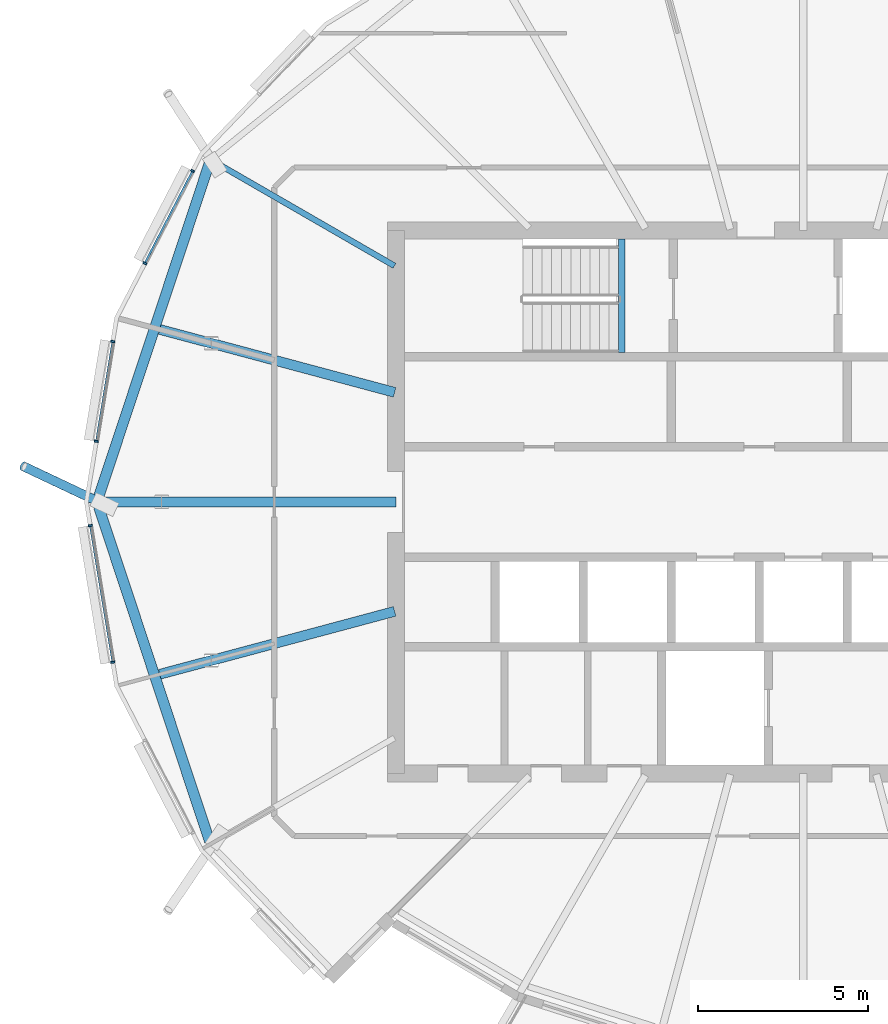
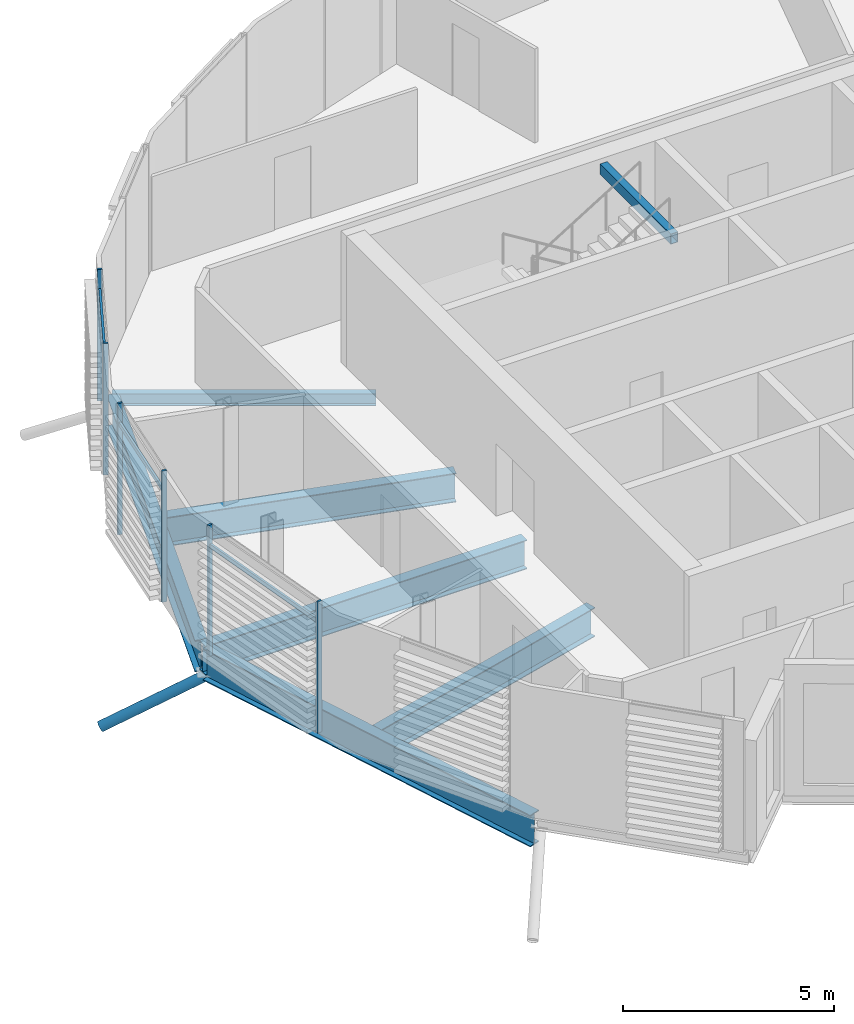
# One storey, part 5 of 41: 10 members, 7 beams, 1 element without a shape of its own.
"""IFC4 building model written with IfcOpenShell, lengths in metres."""

import ifcopenshell
import ifcopenshell.guid

model = None  # the IFC model being written
_history = None  # IfcOwnerHistory: only IFC2X3 demands one
_inside = {}  # id of a spatial element -> (the spatial element, [elements in it])
_under = {}  # id of a project, library or spatial element -> (it, [spatial elements below it])
_declared = {}  # id of a project -> (the project, [libraries it declares])
_typed = {}  # id of a type object -> (the type object, [elements of that type])
_made_of = {}  # id of a material, layer set ... -> (it, [elements and type objects made of it])


def new_model(schema):
    """Start an empty IFC model of exactly this schema.

    Asked for "IFC4X3", IfcOpenShell would pick the latest addendum, in which some entities
    have other attributes; the version numbers below select the first issue.
    IFC2X3 requires an IfcOwnerHistory on every rooted entity: one is made here for all.
    """
    global model, _history
    if schema == "IFC4X3":
        model = ifcopenshell.file(schema_version=(4, 3, 0, 0))
    else:
        model = ifcopenshell.file(schema=schema)
    _inside.clear()
    _under.clear()
    _declared.clear()
    _typed.clear()
    _made_of.clear()
    _history = None
    if model.schema == "IFC2X3":
        org = make("IfcOrganization", Name="unknown")
        user = make(
            "IfcPersonAndOrganization",
            ThePerson=make("IfcPerson", FamilyName="unknown"),
            TheOrganization=org,
        )
        app = make(
            "IfcApplication",
            ApplicationDeveloper=org,
            Version="unknown",
            ApplicationFullName="unknown",
            ApplicationIdentifier="unknown",
        )
        _history = make(
            "IfcOwnerHistory",
            OwningUser=user,
            OwningApplication=app,
            ChangeAction="ADDED",
            CreationDate=0,
        )
    return model


def make(cls, **values):
    """One entity of the class cls with the attributes given. An attribute that is None is left unset."""
    return model.create_entity(
        cls, **{name: value for name, value in values.items() if value is not None}
    )


def rooted(cls, **values):
    """An entity with a GlobalId (a new one), such as an element, a storey or a relation."""
    return make(cls, GlobalId=ifcopenshell.guid.new(), OwnerHistory=_history, **values)


def si_unit(unit_type, name, prefix=None):
    """IfcSIUnit, for example si_unit("LENGTHUNIT", "METRE", prefix="MILLI")."""
    return make("IfcSIUnit", UnitType=unit_type, Prefix=prefix, Name=name)


def assignment(units):
    """IfcUnitAssignment: the units of a project."""
    return None if units is None else make("IfcUnitAssignment", Units=units)


def point(xyz):
    """IfcCartesianPoint."""
    return None if xyz is None else make("IfcCartesianPoint", Coordinates=xyz)


def direction(xyz):
    """IfcDirection."""
    return None if xyz is None else make("IfcDirection", DirectionRatios=xyz)


def frame(location, z_axis=None, x_axis=None):
    """IfcAxis2Placement3D, a coordinate frame: its origin and axes. An axis left out is left unset."""
    return make(
        "IfcAxis2Placement3D",
        Location=point(location),
        Axis=direction(z_axis),
        RefDirection=direction(x_axis),
    )


def frame_2d(location, x_axis=None):
    """IfcAxis2Placement2D, a coordinate frame in the plane: its origin and x axis."""
    return make(
        "IfcAxis2Placement2D", Location=point(location), RefDirection=direction(x_axis)
    )


def origin():
    """The frame at (0, 0, 0) with its axes left unset."""
    return frame((0.0, 0.0, 0.0))


def origin_2d():
    """The frame at (0, 0) in the plane with its x axis left unset."""
    return frame_2d((0.0, 0.0))


def place(relative_to, where):
    """IfcLocalPlacement: puts the frame where relative to a parent placement (None: the world)."""
    return make(
        "IfcLocalPlacement", PlacementRelTo=relative_to, RelativePlacement=where
    )


def context(
    kind, dimensions, precision=None, world=None, true_north=None, identifier=None
):
    """IfcGeometricRepresentationContext, for example the 3D "Model" context."""
    return make(
        "IfcGeometricRepresentationContext",
        ContextIdentifier=identifier,
        ContextType=kind,
        CoordinateSpaceDimension=dimensions,
        Precision=precision,
        WorldCoordinateSystem=world,
        TrueNorth=true_north,
    )


def subcontext(parent, identifier, kind, view, scale=None):
    """IfcGeometricRepresentationSubContext, for example "Body" below "Model"."""
    return make(
        "IfcGeometricRepresentationSubContext",
        ContextIdentifier=identifier,
        ContextType=kind,
        ParentContext=parent,
        TargetScale=scale,
        TargetView=view,
    )


def project(units=None, contexts=None):
    """IfcProject with its units and contexts."""
    return rooted(
        "IfcProject",
        Name="project",
        RepresentationContexts=contexts,
        UnitsInContext=assignment(units),
    )


def spatial(cls, under=None, at=None, **own):
    """A site, building, storey or space (cls), placed at a placement, below another one or the project."""
    s = rooted(cls, ObjectPlacement=at, **own)
    if under is not None:
        _under.setdefault(under.id(), (under, []))[1].append(s)
    return s


def profile(cls, at=None, kind="AREA", **sizes):
    """A parametric profile (cls). Its sizes go by their IFC names, for example OverallWidth=200.0."""
    return make(cls, ProfileType=kind, Position=at, **sizes)


def rectangle(**sizes):
    """IfcRectangleProfileDef."""
    return profile("IfcRectangleProfileDef", **sizes)


def hollow_rectangle(**sizes):
    """IfcRectangleHollowProfileDef."""
    return profile("IfcRectangleHollowProfileDef", **sizes)


def hollow_circle(**sizes):
    """IfcCircleHollowProfileDef."""
    return profile("IfcCircleHollowProfileDef", **sizes)


def i_section(**sizes):
    """IfcIShapeProfileDef."""
    return profile("IfcIShapeProfileDef", **sizes)


def extrude(swept, where, along, depth):
    """IfcExtrudedAreaSolid: the profile swept, set in the frame where, extruded along a direction by depth."""
    return make(
        "IfcExtrudedAreaSolid",
        SweptArea=swept,
        Position=where,
        ExtrudedDirection=direction(along),
        Depth=depth,
    )


def clip(a, b, op="DIFFERENCE"):
    """IfcBooleanClippingResult: the solid a cut by the half space b."""
    return make(
        "IfcBooleanClippingResult", Operator=op, FirstOperand=a, SecondOperand=b
    )


def halfspace(plane, agree):
    """IfcHalfSpaceSolid: all space on one side of the plane z = 0 of the frame plane."""
    return make(
        "IfcHalfSpaceSolid",
        BaseSurface=make("IfcPlane", Position=plane),
        AgreementFlag=agree,
    )


def shape(context_of_items, identifier, shape_type, items):
    """IfcShapeRepresentation: the items that make up one representation, for example the "Body"."""
    return make(
        "IfcShapeRepresentation",
        ContextOfItems=context_of_items,
        RepresentationIdentifier=identifier,
        RepresentationType=shape_type,
        Items=items,
    )


def material(Name=None, Category=None):
    """IfcMaterial."""
    return make("IfcMaterial", Name=Name, Category=Category)


def material_profile(
    of_material, cross_section, Name=None, Category=None, Priority=None
):
    """IfcMaterialProfile: a cross section and its material."""
    return make(
        "IfcMaterialProfile",
        Name=Name,
        Material=of_material,
        Profile=cross_section,
        Priority=Priority,
        Category=Category,
    )


def profile_set(profiles, Name=None, composite=None):
    """IfcMaterialProfileSet."""
    return make(
        "IfcMaterialProfileSet",
        Name=Name,
        MaterialProfiles=profiles,
        CompositeProfile=composite,
    )


def made_of(thing, what):
    """Note that an element or type object is made of a material, layer set ...; save() writes the relation."""
    if what is not None:
        _made_of.setdefault(what.id(), (what, []))[1].append(thing)
    return thing


def type_object(cls, material=None, **own):
    """A type object (cls), such as IfcWallType, which elements share."""
    return made_of(rooted(cls, **own), material)


def element(
    cls,
    number,
    at=None,
    inside=None,
    cuts=None,
    type_object=None,
    material=None,
    context=None,
    identifier="Body",
    shape_type=None,
    held_by="IfcProductDefinitionShape",
    body=None,
    shapes=None,
    **own,
):
    """One element of the class cls, such as IfcWall. Its Tag is "e" and its number.

    at: its placement. inside: the storey or other place that contains it. cuts: it is an
    opening in that element (IfcRelVoidsElement). A single representation is given by context,
    identifier, shape_type and body (its items); several are given by shapes. held_by: the class
    of the entity that holds the representations. save() writes the other relations.
    """
    e = rooted(cls, Tag="e%d" % number, ObjectPlacement=at, **own)
    if body is not None:
        shapes = [shape(context, identifier, shape_type, body)]
    if shapes is not None:
        e.Representation = make(held_by, Representations=shapes)
    if inside is not None:
        _inside.setdefault(inside.id(), (inside, []))[1].append(e)
    if cuts is not None:
        rooted(
            "IfcRelVoidsElement", RelatingBuildingElement=cuts, RelatedOpeningElement=e
        )
    if type_object is not None:
        _typed.setdefault(type_object.id(), (type_object, []))[1].append(e)
    return made_of(e, material)


def aggregate(whole, parts):
    """IfcRelAggregates: a whole, such as a stair, and the parts it consists of."""
    return rooted("IfcRelAggregates", RelatingObject=whole, RelatedObjects=parts)


def save(model, path):
    """Write the relations noted so far, then the file.

    IfcRelAggregates (storeys below a building ...), IfcRelContainedInSpatialStructure (elements
    in a storey), IfcRelDefinesByType, IfcRelAssociatesMaterial and IfcRelDeclares: one each for
    every whole, place, type object, material and project.
    """
    for whole, parts in _under.values():
        aggregate(whole, parts)
    for where, things in _inside.values():
        rooted(
            "IfcRelContainedInSpatialStructure",
            RelatedElements=things,
            RelatingStructure=where,
        )
    for kind, things in _typed.values():
        rooted("IfcRelDefinesByType", RelatedObjects=things, RelatingType=kind)
    for what, things in _made_of.values():
        rooted("IfcRelAssociatesMaterial", RelatedObjects=things, RelatingMaterial=what)
    for by, libraries in _declared.values():
        rooted("IfcRelDeclares", RelatingContext=by, RelatedDefinitions=libraries)
    model.write(path)


model = new_model("IFC4")

# Units and contexts
model_context = context("Model", 3, precision=1e-05, world=origin(), true_north=direction((0.0, 1.0)))
body_context = subcontext(model_context, "Body", "Model", "MODEL_VIEW")
ifc_project = project(units=[si_unit("LENGTHUNIT", "METRE"), si_unit("AREAUNIT", "SQUARE_METRE"), si_unit("VOLUMEUNIT", "CUBIC_METRE"), si_unit("PLANEANGLEUNIT", "RADIAN"), si_unit("MASSUNIT", "GRAM", prefix="KILO")], contexts=[model_context])

# Site, building, storey
site_placement = place(None, origin())
site = spatial("IfcSite", under=ifc_project, at=site_placement, CompositionType="ELEMENT")
building_placement = place(site_placement, origin())
building = spatial("IfcBuilding", under=site, at=building_placement, Name="Rimbun Link Towers", CompositionType="ELEMENT")
storey_placement = place(building_placement, frame((0.0, 0.0, 210.5)))
storey = spatial("IfcBuildingStorey", under=building, at=storey_placement, Name="L51", CompositionType="ELEMENT", Elevation=210.5)

# Curtain wall, members
ifc_material_1 = material(Name="Aluminium 6063-T6 and low-iron glass", Category="aluminium")
curtain_wall_type = type_object("IfcCurtainWallType", Name="CW1-Z4 unitised vision wall (zone 4)", PredefinedType="NOTDEFINED", material=ifc_material_1)
curtain_wall_placement = place(storey_placement, origin())
curtain_wall = element("IfcCurtainWall", 1, at=curtain_wall_placement, inside=storey, type_object=curtain_wall_type, Name="CW1 L51 T1", PredefinedType="NOTDEFINED")
ifc_material_2 = material(Name="Aluminium 6063-T6", Category="aluminium")
ifc_material_profile_1 = material_profile(ifc_material_2, rectangle(XDim=0.1201171875, YDim=0.06005859375, at=origin_2d()), Name="MULLION 60X120")
ifc_profile_set_1 = profile_set([ifc_material_profile_1], Name="Aluminium 6063-T6")
member_type_1 = type_object("IfcMemberType", Name="CW1 mullion 60X120", PredefinedType="MULLION", material=ifc_profile_set_1)
member_1_placement = place(storey_placement, frame((-51.1474609375, 7.03125, 0.0), z_axis=(0.0, 0.0, 1.0), x_axis=(-0.888150016656, 0.459553639865, 0.0)))
member_1 = element("IfcMember", 2, at=member_1_placement, type_object=member_type_1, Name="CW1 mullion", PredefinedType="MULLION", context=body_context, shape_type="SweptSolid", body=[
    extrude(rectangle(XDim=0.1201171875, YDim=0.06005859375, at=origin_2d()), origin(), (0.0, 0.0, 1.0), 3.800048828125),
])
member_2_placement = place(storey_placement, frame((-49.740966796875, 9.74951171875, 0.0), z_axis=(0.0, 0.0, 1.0), x_axis=(-0.888150016656, 0.459553639865, 0.0)))
member_2 = element("IfcMember", 3, at=member_2_placement, type_object=member_type_1, Name="CW1 mullion", PredefinedType="MULLION", context=body_context, shape_type="SweptSolid", body=[
    extrude(rectangle(XDim=0.1201171875, YDim=0.06005859375, at=origin_2d()), origin(), (0.0, 0.0, 1.0), 3.800048828125),
])
member_3_placement = place(storey_placement, frame((-52.577392578125, 1.785888671875, 0.0), z_axis=(0.0, 0.0, 1.0), x_axis=(-0.986747369979, 0.162264068235, 0.0)))
member_3 = element("IfcMember", 4, at=member_3_placement, type_object=member_type_1, Name="CW1 mullion", PredefinedType="MULLION", context=body_context, shape_type="SweptSolid", body=[
    extrude(rectangle(XDim=0.1201171875, YDim=0.06005859375, at=origin_2d()), origin(), (0.0, 0.0, 1.0), 3.800048828125),
])
member_4_placement = place(storey_placement, frame((-52.09423828125, 4.723876953125, 0.0), z_axis=(0.0, 0.0, 1.0), x_axis=(-0.986747369979, 0.162264068235, 0.0)))
member_4 = element("IfcMember", 5, at=member_4_placement, type_object=member_type_1, Name="CW1 mullion", PredefinedType="MULLION", context=body_context, shape_type="SweptSolid", body=[
    extrude(rectangle(XDim=0.1201171875, YDim=0.06005859375, at=origin_2d()), origin(), (0.0, 0.0, 1.0), 3.800048828125),
])
member_5_placement = place(storey_placement, frame((-52.09423828125, -4.723876953125, 0.0), z_axis=(0.0, 0.0, 1.0), x_axis=(-0.986747369979, -0.162264068235, 0.0)))
member_5 = element("IfcMember", 6, at=member_5_placement, type_object=member_type_1, Name="CW1 mullion", PredefinedType="MULLION", context=body_context, shape_type="SweptSolid", body=[
    extrude(rectangle(XDim=0.1201171875, YDim=0.06005859375, at=origin_2d()), origin(), (0.0, 0.0, 1.0), 3.800048828125),
])
member_6_placement = place(storey_placement, frame((-52.755859375, -0.700439453125, 0.0), z_axis=(0.0, 0.0, 1.0), x_axis=(-0.986747369979, -0.162264068235, 0.0)))
member_6 = element("IfcMember", 7, at=member_6_placement, type_object=member_type_1, Name="CW1 mullion", PredefinedType="MULLION", context=body_context, shape_type="SweptSolid", body=[
    extrude(rectangle(XDim=0.1201171875, YDim=0.06005859375, at=origin_2d()), origin(), (0.0, 0.0, 1.0), 3.800048828125),
])
ifc_material_3 = material(Name="Aluminium 6063-T6", Category="aluminium")
ifc_material_profile_2 = material_profile(ifc_material_3, rectangle(XDim=0.06005859375, YDim=0.1201171875, at=origin_2d()), Name="TRANSOM 60X120")
ifc_profile_set_2 = profile_set([ifc_material_profile_2], Name="Aluminium 6063-T6")
member_type_2 = type_object("IfcMemberType", Name="CW1 transom 60X120", PredefinedType="USERDEFINED", material=ifc_profile_set_2)
member_7_placement = place(storey_placement, frame((-51.1318359375, 7.056884765625, 3.199951171875), z_axis=(0.459538013842, 0.888158101823, 0.0), x_axis=(-0.888158101823, 0.459538013842, 0.0)))
member_7 = element("IfcMember", 8, at=member_7_placement, type_object=member_type_2, Name="CW1 transom", ObjectType="TRANSOM", PredefinedType="USERDEFINED", context=body_context, shape_type="SweptSolid", body=[
    extrude(rectangle(XDim=0.06005859375, YDim=0.1201171875, at=origin_2d()), origin(), (0.0, 0.0, 1.0), 3.000732421875),
])
member_8_placement = place(storey_placement, frame((-52.570556640625, 1.815185546875, 3.199951171875), z_axis=(0.162254593898, 0.986748927924, 0.0), x_axis=(-0.986748927924, 0.162254593898, 0.0)))
member_8 = element("IfcMember", 9, at=member_8_placement, type_object=member_type_2, Name="CW1 transom", ObjectType="TRANSOM", PredefinedType="USERDEFINED", context=body_context, shape_type="SweptSolid", body=[
    extrude(rectangle(XDim=0.06005859375, YDim=0.1201171875, at=origin_2d()), origin(), (0.0, 0.0, 1.0), 2.91748046875),
])
member_9_placement = place(storey_placement, frame((-52.09716796875, -4.694091796875, 3.199951171875), z_axis=(-0.162250369036, 0.986749622624, 0.0), x_axis=(-0.986749622624, -0.162250369036, 0.0)))
member_9 = element("IfcMember", 10, at=member_9_placement, type_object=member_type_2, Name="CW1 transom", ObjectType="TRANSOM", PredefinedType="USERDEFINED", context=body_context, shape_type="SweptSolid", body=[
    extrude(rectangle(XDim=0.06005859375, YDim=0.1201171875, at=origin_2d()), origin(), (0.0, 0.0, 1.0), 4.017578125),
])
aggregate(curtain_wall, [member_1, member_2, member_3, member_4, member_5, member_6, member_7, member_8, member_9])

# Member
ifc_material_4 = material(Name="Steel S355J2H", Category="steel")
ifc_material_profile_3 = material_profile(ifc_material_4, hollow_circle(Radius=0.136474609375, WallThickness=0.012451171875, at=origin_2d()), Name="CHS 273x12.5")
ifc_profile_set_3 = profile_set([ifc_material_profile_3], Name="Steel S355J2H")
member_type_3 = type_object("IfcMemberType", Name="Floor edge link CHS 273x12.5", PredefinedType="BRACE", material=ifc_profile_set_3)
member_10_placement = place(storey_placement, frame((-52.5068359375, 0.0, -1.100830078125), z_axis=(-0.797684083969, 0.376727682966, -0.470931369809), x_axis=(-0.427046654112, -0.90422959209, 0.0)))
element("IfcMember", 11, at=member_10_placement, inside=storey, type_object=member_type_3, Name="Floor edge link T1 L51 12", PredefinedType="BRACE", context=body_context, shape_type="Clipping", body=[
    clip(extrude(hollow_circle(Radius=0.136474609375, WallThickness=0.012451171875, at=origin_2d()), frame((0.0, 0.0, -0.53271484375)), (0.0, 0.0, 1.0), 3.336669921875), halfspace(frame((0.0, 0.0, -0.250732421875), z_axis=(0.0, 0.882169850386, -0.470931369809)), False)),
])

# Beams
ifc_material_5 = material(Name="Steel S355J2", Category="steel")
ifc_material_profile_4 = material_profile(ifc_material_5, hollow_rectangle(XDim=0.199951171875, YDim=0.300048828125, WallThickness=0.011962890625, at=origin_2d()), Name="BOX 300x200x12")
ifc_profile_set_4 = profile_set([ifc_material_profile_4], Name="Steel S355J2")
beam_type_1 = type_object("IfcBeamType", Name="Stair trimmer beam BOX 300x200x12", PredefinedType="BEAM", material=ifc_profile_set_4)
beam_1_placement = place(storey_placement, frame((-37.10009765625, 7.75, 3.510009765625), z_axis=(0.0, -1.0, 0.0), x_axis=(1.0, 0.0, 0.0)))
element("IfcBeam", 12, at=beam_1_placement, inside=storey, type_object=beam_type_1, Name="L51 ST1 stair beam 1", PredefinedType="BEAM", context=body_context, shape_type="SweptSolid", body=[
    extrude(hollow_rectangle(XDim=0.199951171875, YDim=0.300048828125, WallThickness=0.011962890625, at=origin_2d()), origin(), (0.0, 0.0, 1.0), 3.35009765625),
])
ifc_material_6 = material(Name="Steel S355J2", Category="steel")
ifc_material_profile_5 = material_profile(ifc_material_6, i_section(OverallWidth=0.17138671875, OverallDepth=0.35498046875, WebThickness=0.00732421875, FlangeThickness=0.011474609375, at=origin_2d()), Name="UB 356x171x51")
ifc_profile_set_5 = profile_set([ifc_material_profile_5], Name="Steel S355J2")
beam_type_2 = type_object("IfcBeamType", Name="UB 356x171x51", PredefinedType="BEAM", material=ifc_profile_set_5)
beam_2_placement = place(storey_placement, frame((-43.793701171875, 6.95361328125, -0.3173828125), z_axis=(-0.866027676865, 0.499996062888, 0.0), x_axis=(-0.499996062888, -0.866027676865, 0.0)))
element("IfcBeam", 13, at=beam_2_placement, inside=storey, type_object=beam_type_2, Name="Radial beam T1 L51 10", PredefinedType="BEAM", context=body_context, shape_type="SweptSolid", body=[
    extrude(i_section(OverallWidth=0.17138671875, OverallDepth=0.35498046875, WebThickness=0.00732421875, FlangeThickness=0.011474609375, at=origin_2d()), origin(), (0.0, 0.0, 1.0), 6.25634765625),
])
ifc_material_7 = material(Name="Steel S355J2", Category="steel")
ifc_material_profile_6 = material_profile(ifc_material_7, i_section(OverallWidth=0.29248046875, OverallDepth=0.8408203125, WebThickness=0.0126953125, FlangeThickness=0.021728515625, at=origin_2d()), Name="UB 838x292x194")
ifc_profile_set_6 = profile_set([ifc_material_profile_6], Name="Steel S355J2")
beam_type_3 = type_object("IfcBeamType", Name="UB 838x292x194", PredefinedType="BEAM", material=ifc_profile_set_6)
beam_3_placement = place(storey_placement, frame((-43.788818359375, 3.225830078125, -0.560302734375), z_axis=(-0.965930560522, 0.25880137606, 0.0), x_axis=(-0.25880137606, -0.965930560522, 0.0)))
element("IfcBeam", 14, at=beam_3_placement, inside=storey, type_object=beam_type_3, Name="Radial beam T1 L51 11", PredefinedType="BEAM", context=body_context, shape_type="SweptSolid", body=[
    extrude(i_section(OverallWidth=0.29248046875, OverallDepth=0.8408203125, WebThickness=0.0126953125, FlangeThickness=0.021728515625, at=origin_2d()), origin(), (0.0, 0.0, 1.0), 7.164794921875),
])
beam_4_placement = place(storey_placement, frame((-43.7509765625, 0.0, -0.560302734375), z_axis=(-1.0, 0.0, 0.0), x_axis=(0.0, -1.0, 0.0)))
element("IfcBeam", 15, at=beam_4_placement, inside=storey, type_object=beam_type_3, Name="Radial beam T1 L51 12", PredefinedType="BEAM", context=body_context, shape_type="SweptSolid", body=[
    extrude(i_section(OverallWidth=0.29248046875, OverallDepth=0.8408203125, WebThickness=0.0126953125, FlangeThickness=0.021728515625, at=origin_2d()), origin(), (0.0, 0.0, 1.0), 8.805908203125),
])
beam_5_placement = place(storey_placement, frame((-43.788818359375, -3.225830078125, -0.560302734375), z_axis=(-0.965930560522, -0.25880137606, 0.0), x_axis=(0.25880137606, -0.965930560522, 0.0)))
element("IfcBeam", 16, at=beam_5_placement, inside=storey, type_object=beam_type_3, Name="Radial beam T1 L51 13", PredefinedType="BEAM", context=body_context, shape_type="SweptSolid", body=[
    extrude(i_section(OverallWidth=0.29248046875, OverallDepth=0.8408203125, WebThickness=0.0126953125, FlangeThickness=0.021728515625, at=origin_2d()), origin(), (0.0, 0.0, 1.0), 7.164794921875),
])
ifc_material_8 = material(Name="Steel S355J2", Category="steel")
ifc_material_profile_7 = material_profile(ifc_material_8, i_section(OverallWidth=0.305419921875, OverallDepth=0.91845703125, WebThickness=0.017333984375, FlangeThickness=0.02783203125, at=origin_2d()), Name="UB 914x305x253")
ifc_profile_set_7 = profile_set([ifc_material_profile_7], Name="Steel S355J2")
beam_type_4 = type_object("IfcBeamType", Name="UB 914x305x253", PredefinedType="BEAM", material=ifc_profile_set_7)
for number, where, z_axis, x_axis, name in (
    (17, (-49.239990234375, 9.99755859375, -0.59912109375), (-0.314893636851, -0.949126965938, 0.0), (0.949126965938, -0.314893636851, 0.0), "Edge beam T1 L51 10-12"),
    (18, (-52.508056640625, -0.147216796875, -0.59912109375), (0.314893636851, -0.949126965938, 0.0), (0.949126965938, 0.314893636851, 0.0), "Edge beam T1 L51 12-14"),
):
    element("IfcBeam", number, at=place(storey_placement, frame(where, z_axis=z_axis, x_axis=x_axis)), inside=storey, type_object=beam_type_4, Name=name, PredefinedType="BEAM", context=body_context, shape_type="SweptSolid", body=[
        extrude(i_section(OverallWidth=0.305419921875, OverallDepth=0.91845703125, WebThickness=0.017333984375, FlangeThickness=0.02783203125, at=origin_2d()), origin(), (0.0, 0.0, 1.0), 10.37841796875),
    ])

save(model, "model.ifc")
